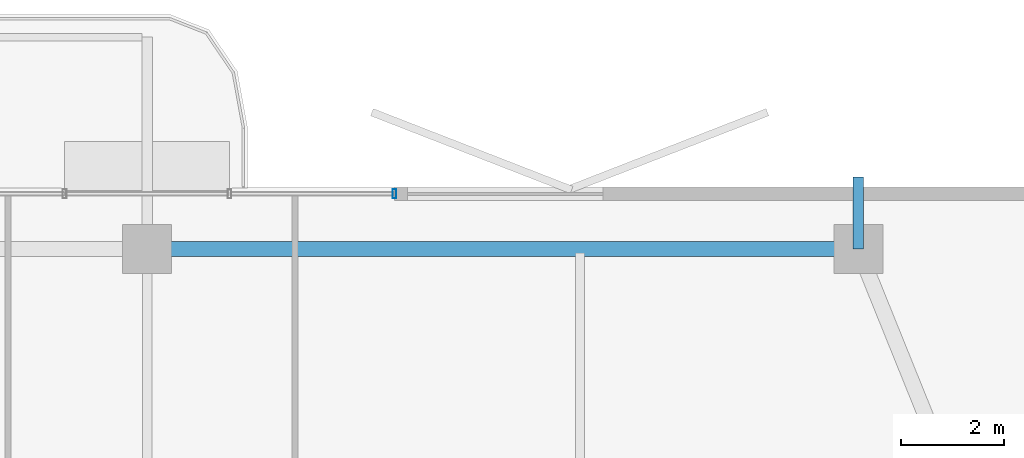
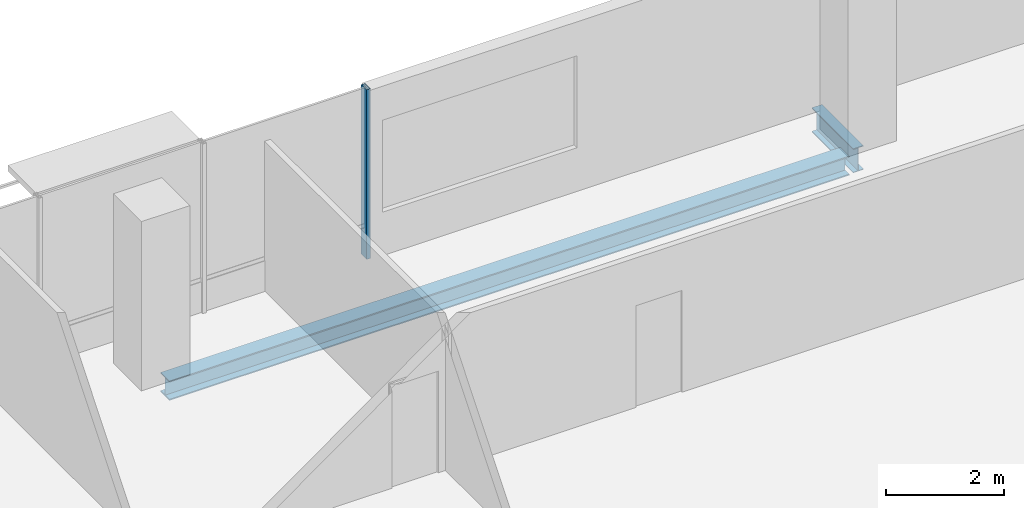
# One storey, part 16 of 25: 2 beams, 1 member, 1 element without a shape of its own.
"""IFC4 building model written with IfcOpenShell, lengths in metres."""

from ifc_helpers import new_model, si_unit, direction, frame, origin, origin_2d, place, context, subcontext, project, spatial, hollow_rectangle, i_section, extrude, material, layer, layer_set, material_profile, profile_set, type_object, element, aggregate, save


model = new_model("IFC4")

# Units and contexts
model_context = context("Model", 3, precision=1e-05, world=origin(), true_north=direction((0.0, 1.0)))
body_context = subcontext(model_context, "Body", "Model", "MODEL_VIEW")
ifc_project = project(units=[si_unit("LENGTHUNIT", "METRE"), si_unit("AREAUNIT", "SQUARE_METRE"), si_unit("VOLUMEUNIT", "CUBIC_METRE"), si_unit("PLANEANGLEUNIT", "RADIAN"), si_unit("MASSUNIT", "GRAM", prefix="KILO")], contexts=[model_context])

# Site, building, storey
site_placement = place(None, origin())
site = spatial("IfcSite", under=ifc_project, at=site_placement, CompositionType="ELEMENT")
building_placement = place(site_placement, origin())
building = spatial("IfcBuilding", under=site, at=building_placement, Name="Belovzor Exchange Tower", CompositionType="ELEMENT")
storey_placement = place(building_placement, frame((0.0, 0.0, 269.10009765625)))
storey = spatial("IfcBuildingStorey", under=building, at=storey_placement, Name="L67", CompositionType="ELEMENT", Elevation=269.10009765625)

# Beam
ifc_material_1 = material(Name="Steel S355", Category="steel")
ifc_material_profile_1 = material_profile(ifc_material_1, i_section(OverallWidth=0.199951171875, OverallDepth=0.5, WebThickness=0.01025390625, FlangeThickness=0.01611328125, at=origin_2d()))
ifc_profile_set_1 = profile_set([ifc_material_profile_1], Name="Steel S355")
beam_type_1 = type_object("IfcBeamType", Name="Planted Balcony Cantilever Beam IPE 500", PredefinedType="BEAM", material=ifc_profile_set_1)
beam_1_placement = place(storey_placement, frame((42.60009765625, 52.5, -0.5), z_axis=(0.0, 1.0, 0.0), x_axis=(-1.0, 0.0, 0.0)))
element("IfcBeam", 1, at=beam_1_placement, inside=storey, type_object=beam_type_1, Name="BC-500 Planted Balcony Cantilever Beam IPE 500", PredefinedType="BEAM", context=body_context, shape_type="SweptSolid", body=[
    extrude(i_section(OverallWidth=0.199951171875, OverallDepth=0.5, WebThickness=0.01025390625, FlangeThickness=0.01611328125, at=origin_2d()), origin(), (0.0, 0.0, 1.0), 1.39990234375),
])

# Curtain wall, member
ifc_material_2 = material(Name="Anodised Aluminium Framing", Category="aluminium")
ifc_layer = layer(ifc_material_2, 0.179931640625)
ifc_layer_set = layer_set([ifc_layer], Name="Anodised Aluminium Framing")
curtain_wall_type = type_object("IfcCurtainWallType", Name="Recessed Loggia Low-Iron Triple-Glazed Curtain Wall", PredefinedType="NOTDEFINED", material=ifc_layer_set)
curtain_wall_placement = place(storey_placement, origin())
curtain_wall = element("IfcCurtainWall", 2, at=curtain_wall_placement, inside=storey, type_object=curtain_wall_type, Name="CW3 Recessed Loggia Low-Iron Triple-Glazed Curtain Wall L67", PredefinedType="NOTDEFINED")
ifc_material_3 = material(Name="Steel S355", Category="steel")
ifc_material_profile_2 = material_profile(ifc_material_3, hollow_rectangle(XDim=0.074951171875, YDim=0.179931640625, WallThickness=0.0048828125, at=origin_2d()))
ifc_profile_set_2 = profile_set([ifc_material_profile_2], Name="Steel S355")
member_type = type_object("IfcMemberType", Name="Thermally Broken Curtain Wall Mullion 180x75", PredefinedType="MULLION", material=ifc_profile_set_2)
member_placement = place(storey_placement, frame((33.60009765625, 53.570068359375, 0.0), z_axis=(0.0, 0.0, 1.0), x_axis=(1.0, 0.0, 0.0)))
member = element("IfcMember", 3, at=member_placement, type_object=member_type, Name="CW-M180 Curtain Wall Mullion 4", PredefinedType="MULLION", context=body_context, shape_type="SweptSolid", body=[
    extrude(hollow_rectangle(XDim=0.074951171875, YDim=0.179931640625, WallThickness=0.0048828125, at=origin_2d()), origin(), (0.0, 0.0, 1.0), 3.5),
])
aggregate(curtain_wall, [member])

# Beam
ifc_material_4 = material(Name="Steel S355", Category="steel")
ifc_material_profile_3 = material_profile(ifc_material_4, i_section(OverallWidth=0.300048828125, OverallDepth=0.39990234375, WebThickness=0.013427734375, FlangeThickness=0.02392578125, at=origin_2d()))
ifc_profile_set_3 = profile_set([ifc_material_profile_3], Name="Steel S355")
beam_type_2 = type_object("IfcBeamType", Name="Zone 5 Primary Girder HEB 400", PredefinedType="BEAM", material=ifc_profile_set_3)
beam_2_placement = place(storey_placement, frame((42.339111328125, 52.5, -0.4501953125), z_axis=(-1.0, 0.0, 0.0), x_axis=(0.0, -1.0, 0.0)))
element("IfcBeam", 4, at=beam_2_placement, inside=storey, type_object=beam_type_2, Name="FG-Z5 Zone 5 Primary Girder HEB 400", PredefinedType="BEAM", context=body_context, shape_type="SweptSolid", body=[
    extrude(i_section(OverallWidth=0.300048828125, OverallDepth=0.39990234375, WebThickness=0.013427734375, FlangeThickness=0.02392578125, at=origin_2d()), origin(), (0.0, 0.0, 1.0), 13.278076171875),
])

save(model, "model.ifc")
